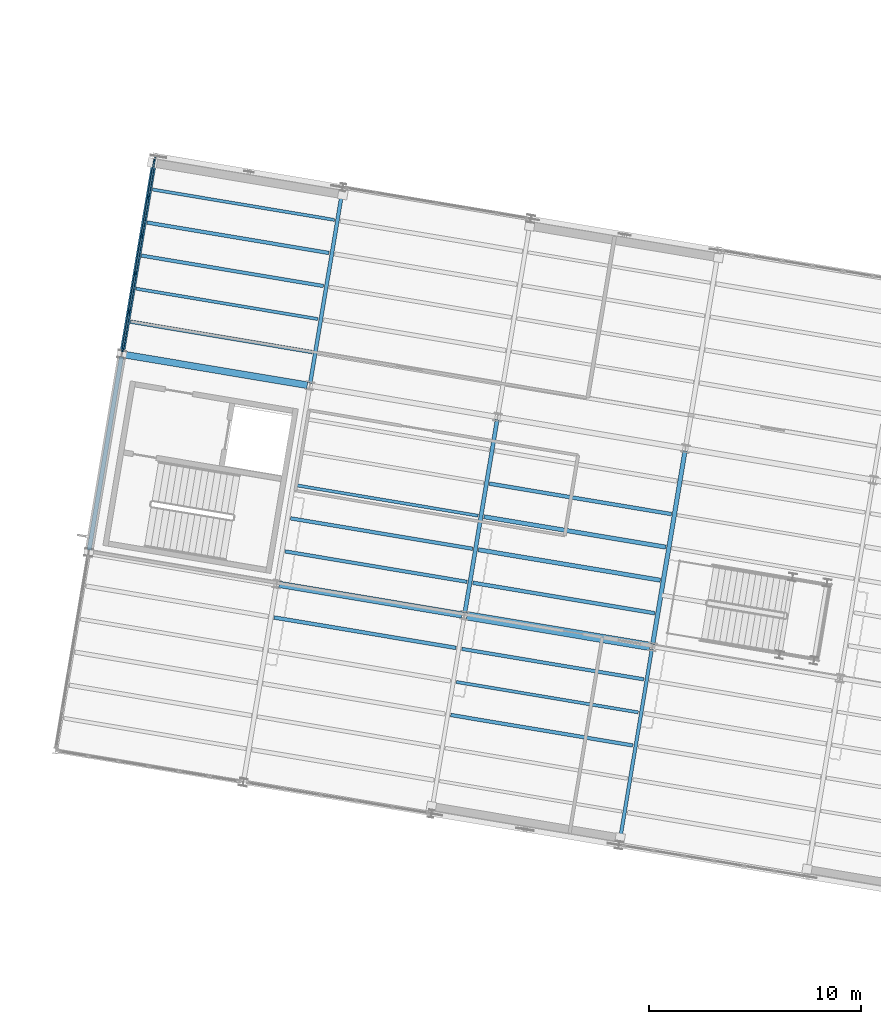
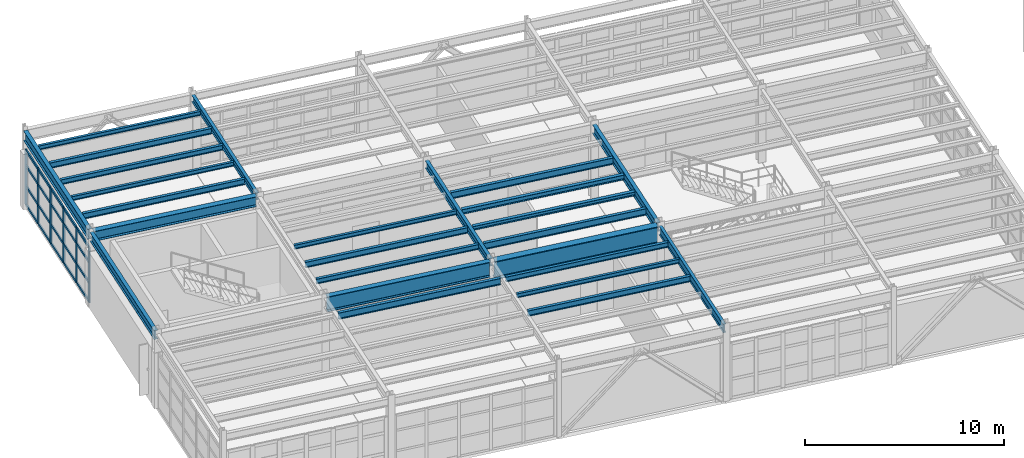
# One storey, part 41 of 109: 26 members, 25 beams, 1 element without a shape of its own.
"""IFC4 building model written with IfcOpenShell, lengths in metres."""

from ifc_helpers import new_model, si_unit, direction, frame, origin, origin_2d, place, context, subcontext, project, spatial, rectangle, i_section, extrude, material, layer, layer_set, material_profile, profile_set, type_object, element, aggregate, save


model = new_model("IFC4")

# Units and contexts
model_context = context("Model", 3, precision=1e-05, world=origin(), true_north=direction((0.0, 1.0)))
body_context = subcontext(model_context, "Body", "Model", "MODEL_VIEW")
ifc_project = project(units=[si_unit("LENGTHUNIT", "METRE"), si_unit("AREAUNIT", "SQUARE_METRE"), si_unit("VOLUMEUNIT", "CUBIC_METRE"), si_unit("PLANEANGLEUNIT", "RADIAN"), si_unit("MASSUNIT", "GRAM", prefix="KILO")], contexts=[model_context])

# Site, building, storey
site_placement = place(None, origin())
site = spatial("IfcSite", under=ifc_project, at=site_placement, CompositionType="ELEMENT")
building_placement = place(site_placement, origin())
building = spatial("IfcBuilding", under=site, at=building_placement, Name="Vireo Bluff Cable Station", CompositionType="ELEMENT")
storey_placement = place(building_placement, frame((0.0, 0.0, 4.800048828125)))
storey = spatial("IfcBuildingStorey", under=building, at=storey_placement, Name="L01", CompositionType="ELEMENT", Elevation=4.800048828125)

# Beams
ifc_material_1 = material(Name="Steel ASTM A992 Gr. 50", Category="steel")
ifc_material_profile_1 = material_profile(ifc_material_1, i_section(OverallWidth=0.178955078125, OverallDepth=0.408935546875, WebThickness=0.0087890625, FlangeThickness=0.014404296875, FilletRadius=0.010009765625, at=origin_2d()), Name="W16X45")
ifc_profile_set_1 = profile_set([ifc_material_profile_1], Name="Steel ASTM A992 Gr. 50")
beam_type_1 = type_object("IfcBeamType", Name="BM-W16X45", PredefinedType="BEAM", material=ifc_profile_set_1)
beam_1_placement = place(storey_placement, frame((17.5322265625, 88.872314453125, 4.33544921875), z_axis=(0.165044536891, 0.986286115102, 0.0), x_axis=(-0.986286115102, 0.165044536891, 0.0)))
element("IfcBeam", 1, at=beam_1_placement, inside=storey, type_object=beam_type_1, Name="V4 L01 beam 897", PredefinedType="BEAM", context=body_context, shape_type="SweptSolid", body=[
    extrude(i_section(OverallWidth=0.178955078125, OverallDepth=0.408935546875, WebThickness=0.0087890625, FlangeThickness=0.014404296875, FilletRadius=0.010009765625, at=origin_2d()), origin(), (0.0, 0.0, 1.0), 9.260009765625),
])
ifc_material_profile_2 = material_profile(ifc_material_1, i_section(OverallWidth=0.19091796875, OverallDepth=0.45703125, WebThickness=0.009033203125, FlangeThickness=0.014404296875, FilletRadius=0.011962890625, at=origin_2d()), Name="W18X50")
ifc_profile_set_2 = profile_set([ifc_material_profile_2], Name="Steel ASTM A992 Gr. 50")
beam_type_2 = type_object("IfcBeamType", Name="BM-W18X50", PredefinedType="BEAM", material=ifc_profile_set_2)
beam_2_placement = place(storey_placement, frame((24.8408203125, 78.01708984375, 4.3115234375), z_axis=(0.165044536891, 0.986286115102, 0.0), x_axis=(-0.986286115102, 0.165044536891, 0.0)))
element("IfcBeam", 2, at=beam_2_placement, inside=storey, type_object=beam_type_2, Name="V4 L01 beam 899", PredefinedType="BEAM", context=body_context, shape_type="SweptSolid", body=[
    extrude(i_section(OverallWidth=0.19091796875, OverallDepth=0.45703125, WebThickness=0.009033203125, FlangeThickness=0.014404296875, FilletRadius=0.011962890625, at=origin_2d()), origin(), (0.0, 0.0, 1.0), 9.260009765625),
])
ifc_material_profile_3 = material_profile(ifc_material_1, i_section(OverallWidth=0.166015625, OverallDepth=0.528076171875, WebThickness=0.009765625, FlangeThickness=0.013671875, FilletRadius=0.012939453125, at=origin_2d()), Name="W21X50")
ifc_profile_set_3 = profile_set([ifc_material_profile_3], Name="Steel ASTM A992 Gr. 50")
beam_type_3 = type_object("IfcBeamType", Name="BM-W21X50", PredefinedType="BEAM", material=ifc_profile_set_3)
beam_3_placement = place(storey_placement, frame((32.1494140625, 67.162109375, 4.27587890625), z_axis=(0.165070183492, 0.986281823072, 0.0), x_axis=(-0.986281823072, 0.165070183492, 0.0)))
element("IfcBeam", 3, at=beam_3_placement, inside=storey, type_object=beam_type_3, Name="V4 L01 beam 901", PredefinedType="BEAM", context=body_context, shape_type="SweptSolid", body=[
    extrude(i_section(OverallWidth=0.166015625, OverallDepth=0.528076171875, WebThickness=0.009765625, FlangeThickness=0.013671875, FilletRadius=0.012939453125, at=origin_2d()), origin(), (0.0, 0.0, 1.0), 9.260009765625),
])
ifc_material_profile_4 = material_profile(ifc_material_1, i_section(OverallWidth=0.2099609375, OverallDepth=0.535888671875, WebThickness=0.010986328125, FlangeThickness=0.017333984375, FilletRadius=0.012939453125, at=origin_2d()), Name="W21X68")
ifc_profile_set_4 = profile_set([ifc_material_profile_4], Name="Steel ASTM A992 Gr. 50")
beam_type_4 = type_object("IfcBeamType", Name="BM-W21X68", PredefinedType="BEAM", material=ifc_profile_set_4)
beam_4_placement = place(storey_placement, frame((33.717529296875, 76.53173828125, 4.27197265625), z_axis=(0.165044536891, 0.986286115102, 0.0), x_axis=(-0.986286115102, 0.165044536891, 0.0)))
element("IfcBeam", 4, at=beam_4_placement, inside=storey, type_object=beam_type_4, Name="V4 L01 beam 902", PredefinedType="BEAM", context=body_context, shape_type="SweptSolid", body=[
    extrude(i_section(OverallWidth=0.2099609375, OverallDepth=0.535888671875, WebThickness=0.010986328125, FlangeThickness=0.017333984375, FilletRadius=0.012939453125, at=origin_2d()), origin(), (0.0, 0.0, 1.0), 9.260009765625),
])

# Curtain wall, members
ifc_material_2 = material(Name="Anodized Aluminium 6063-T6", Category="aluminium")
ifc_layer = layer(ifc_material_2, 0.159912109375, Name="Anodized Aluminium 6063-T6")
ifc_layer_set = layer_set([ifc_layer], Name="Anodized Aluminium 6063-T6")
curtain_wall_type = type_object("IfcCurtainWallType", Name="CW-STICK-1850", PredefinedType="USERDEFINED", material=ifc_layer_set)
curtain_wall_placement = place(storey_placement, origin())
curtain_wall = element("IfcCurtainWall", 5, at=curtain_wall_placement, inside=storey, type_object=curtain_wall_type, Name="V4 L01 west curtain wall CW-089", ObjectType="STICK CURTAIN WALL", PredefinedType="USERDEFINED")
ifc_material_profile_5 = material_profile(ifc_material_2, rectangle(XDim=0.074951171875, YDim=0.2099609375, at=origin_2d()), Name="ALU-M-75X210")
ifc_profile_set_5 = profile_set([ifc_material_profile_5], Name="Anodized Aluminium 6063-T6")
member_type_1 = type_object("IfcMemberType", Name="CWM-02", PredefinedType="MULLION", material=ifc_profile_set_5)
member_1_placement = place(storey_placement, frame((8.672119140625, 90.455810546875, 0.0), z_axis=(0.0, 0.0, 1.0), x_axis=(-0.986285599498, 0.165047618048, 0.0)))
member_1 = element("IfcMember", 6, at=member_1_placement, type_object=member_type_1, Name="CW-089 mullion 1", PredefinedType="MULLION", context=body_context, shape_type="SweptSolid", body=[
    extrude(rectangle(XDim=0.074951171875, YDim=0.2099609375, at=origin_2d()), origin(), (0.0, 0.0, 1.0), 3.39990234375),
])
member_2_placement = place(storey_placement, frame((8.96923828125, 92.231201171875, 0.0), z_axis=(0.0, 0.0, 1.0), x_axis=(-0.986285599498, 0.165047618048, 0.0)))
member_2 = element("IfcMember", 7, at=member_2_placement, type_object=member_type_1, Name="CW-089 mullion 2", PredefinedType="MULLION", context=body_context, shape_type="SweptSolid", body=[
    extrude(rectangle(XDim=0.074951171875, YDim=0.2099609375, at=origin_2d()), origin(), (0.0, 0.0, 1.0), 3.39990234375),
])
member_3_placement = place(storey_placement, frame((9.2724609375, 94.04345703125, 0.0), z_axis=(0.0, 0.0, 1.0), x_axis=(-0.986285599498, 0.165047618048, 0.0)))
member_3 = element("IfcMember", 8, at=member_3_placement, type_object=member_type_1, Name="CW-089 mullion 3", PredefinedType="MULLION", context=body_context, shape_type="SweptSolid", body=[
    extrude(rectangle(XDim=0.074951171875, YDim=0.2099609375, at=origin_2d()), origin(), (0.0, 0.0, 1.0), 3.39990234375),
])
member_4_placement = place(storey_placement, frame((9.57568359375, 95.855712890625, 0.0), z_axis=(0.0, 0.0, 1.0), x_axis=(-0.986285599498, 0.165047618048, 0.0)))
member_4 = element("IfcMember", 9, at=member_4_placement, type_object=member_type_1, Name="CW-089 mullion 4", PredefinedType="MULLION", context=body_context, shape_type="SweptSolid", body=[
    extrude(rectangle(XDim=0.074951171875, YDim=0.2099609375, at=origin_2d()), origin(), (0.0, 0.0, 1.0), 3.39990234375),
])
member_5_placement = place(storey_placement, frame((9.879150390625, 97.668212890625, 0.0), z_axis=(0.0, 0.0, 1.0), x_axis=(-0.986285599498, 0.165047618048, 0.0)))
member_5 = element("IfcMember", 10, at=member_5_placement, type_object=member_type_1, Name="CW-089 mullion 5", PredefinedType="MULLION", context=body_context, shape_type="SweptSolid", body=[
    extrude(rectangle(XDim=0.074951171875, YDim=0.2099609375, at=origin_2d()), origin(), (0.0, 0.0, 1.0), 3.39990234375),
])
member_6_placement = place(storey_placement, frame((10.176025390625, 99.443359375, 0.0), z_axis=(0.0, 0.0, 1.0), x_axis=(-0.986285599498, 0.165047618048, 0.0)))
member_6 = element("IfcMember", 11, at=member_6_placement, type_object=member_type_1, Name="CW-089 mullion 6", PredefinedType="MULLION", context=body_context, shape_type="SweptSolid", body=[
    extrude(rectangle(XDim=0.074951171875, YDim=0.2099609375, at=origin_2d()), origin(), (0.0, 0.0, 1.0), 3.39990234375),
])
ifc_material_profile_6 = material_profile(ifc_material_2, rectangle(XDim=0.074951171875, YDim=0.159912109375, at=origin_2d()), Name="ALU-T-75X160")
ifc_profile_set_6 = profile_set([ifc_material_profile_6], Name="Anodized Aluminium 6063-T6")
member_type_2 = type_object("IfcMemberType", Name="CWT-02", PredefinedType="USERDEFINED", material=ifc_profile_set_6)
member_7_placement = place(storey_placement, frame((8.67822265625, 90.492919921875, 0.037353515625), z_axis=(0.165156273251, 0.986267410698, 0.0), x_axis=(-0.986267410698, 0.165156273251, 0.0)))
member_7 = element("IfcMember", 12, at=member_7_placement, type_object=member_type_2, Name="CW-089 transom 1.1", ObjectType="TRANSOM", PredefinedType="USERDEFINED", context=body_context, shape_type="SweptSolid", body=[
    extrude(rectangle(XDim=0.074951171875, YDim=0.159912109375, at=origin_2d()), origin(), (0.0, 0.0, 1.0), 1.72509765625),
])
member_8_placement = place(storey_placement, frame((8.67822265625, 90.492919921875, 1.18994140625), z_axis=(0.165156273251, 0.986267410698, 0.0), x_axis=(-0.986267410698, 0.165156273251, 0.0)))
member_8 = element("IfcMember", 13, at=member_8_placement, type_object=member_type_2, Name="CW-089 transom 1.2", ObjectType="TRANSOM", PredefinedType="USERDEFINED", context=body_context, shape_type="SweptSolid", body=[
    extrude(rectangle(XDim=0.074951171875, YDim=0.159912109375, at=origin_2d()), origin(), (0.0, 0.0, 1.0), 1.72509765625),
])
member_9_placement = place(storey_placement, frame((8.67822265625, 90.492919921875, 2.447998046875), z_axis=(0.165156273251, 0.986267410698, 0.0), x_axis=(-0.986267410698, 0.165156273251, 0.0)))
member_9 = element("IfcMember", 14, at=member_9_placement, type_object=member_type_2, Name="CW-089 transom 1.3", ObjectType="TRANSOM", PredefinedType="USERDEFINED", context=body_context, shape_type="SweptSolid", body=[
    extrude(rectangle(XDim=0.074951171875, YDim=0.159912109375, at=origin_2d()), origin(), (0.0, 0.0, 1.0), 1.72509765625),
])
member_10_placement = place(storey_placement, frame((8.67822265625, 90.492919921875, 3.362548828125), z_axis=(0.165156273251, 0.986267410698, 0.0), x_axis=(-0.986267410698, 0.165156273251, 0.0)))
member_10 = element("IfcMember", 15, at=member_10_placement, type_object=member_type_2, Name="CW-089 transom 1.4", ObjectType="TRANSOM", PredefinedType="USERDEFINED", context=body_context, shape_type="SweptSolid", body=[
    extrude(rectangle(XDim=0.074951171875, YDim=0.159912109375, at=origin_2d()), origin(), (0.0, 0.0, 1.0), 1.72509765625),
])
member_11_placement = place(storey_placement, frame((8.975341796875, 92.268310546875, 0.037353515625), z_axis=(0.165117758492, 0.986273859448, 0.0), x_axis=(-0.986273859448, 0.165117758492, 0.0)))
member_11 = element("IfcMember", 16, at=member_11_placement, type_object=member_type_2, Name="CW-089 transom 2.1", ObjectType="TRANSOM", PredefinedType="USERDEFINED", context=body_context, shape_type="SweptSolid", body=[
    extrude(rectangle(XDim=0.074951171875, YDim=0.159912109375, at=origin_2d()), origin(), (0.0, 0.0, 1.0), 1.762451171875),
])
member_12_placement = place(storey_placement, frame((8.975341796875, 92.268310546875, 1.18994140625), z_axis=(0.165117758492, 0.986273859448, 0.0), x_axis=(-0.986273859448, 0.165117758492, 0.0)))
member_12 = element("IfcMember", 17, at=member_12_placement, type_object=member_type_2, Name="CW-089 transom 2.2", ObjectType="TRANSOM", PredefinedType="USERDEFINED", context=body_context, shape_type="SweptSolid", body=[
    extrude(rectangle(XDim=0.074951171875, YDim=0.159912109375, at=origin_2d()), origin(), (0.0, 0.0, 1.0), 1.762451171875),
])
member_13_placement = place(storey_placement, frame((8.975341796875, 92.268310546875, 2.447998046875), z_axis=(0.165117758492, 0.986273859448, 0.0), x_axis=(-0.986273859448, 0.165117758492, 0.0)))
member_13 = element("IfcMember", 18, at=member_13_placement, type_object=member_type_2, Name="CW-089 transom 2.3", ObjectType="TRANSOM", PredefinedType="USERDEFINED", context=body_context, shape_type="SweptSolid", body=[
    extrude(rectangle(XDim=0.074951171875, YDim=0.159912109375, at=origin_2d()), origin(), (0.0, 0.0, 1.0), 1.762451171875),
])
member_14_placement = place(storey_placement, frame((8.975341796875, 92.268310546875, 3.362548828125), z_axis=(0.165117758492, 0.986273859448, 0.0), x_axis=(-0.986273859448, 0.165117758492, 0.0)))
member_14 = element("IfcMember", 19, at=member_14_placement, type_object=member_type_2, Name="CW-089 transom 2.4", ObjectType="TRANSOM", PredefinedType="USERDEFINED", context=body_context, shape_type="SweptSolid", body=[
    extrude(rectangle(XDim=0.074951171875, YDim=0.159912109375, at=origin_2d()), origin(), (0.0, 0.0, 1.0), 1.762451171875),
])
member_15_placement = place(storey_placement, frame((9.278564453125, 94.08056640625, 0.037353515625), z_axis=(0.165117758492, 0.986273859448, 0.0), x_axis=(-0.986273859448, 0.165117758492, 0.0)))
member_15 = element("IfcMember", 20, at=member_15_placement, type_object=member_type_2, Name="CW-089 transom 3.1", ObjectType="TRANSOM", PredefinedType="USERDEFINED", context=body_context, shape_type="SweptSolid", body=[
    extrude(rectangle(XDim=0.074951171875, YDim=0.159912109375, at=origin_2d()), origin(), (0.0, 0.0, 1.0), 1.762451171875),
])
member_16_placement = place(storey_placement, frame((9.278564453125, 94.08056640625, 1.18994140625), z_axis=(0.165117758492, 0.986273859448, 0.0), x_axis=(-0.986273859448, 0.165117758492, 0.0)))
member_16 = element("IfcMember", 21, at=member_16_placement, type_object=member_type_2, Name="CW-089 transom 3.2", ObjectType="TRANSOM", PredefinedType="USERDEFINED", context=body_context, shape_type="SweptSolid", body=[
    extrude(rectangle(XDim=0.074951171875, YDim=0.159912109375, at=origin_2d()), origin(), (0.0, 0.0, 1.0), 1.762451171875),
])
member_17_placement = place(storey_placement, frame((9.278564453125, 94.08056640625, 2.447998046875), z_axis=(0.165117758492, 0.986273859448, 0.0), x_axis=(-0.986273859448, 0.165117758492, 0.0)))
member_17 = element("IfcMember", 22, at=member_17_placement, type_object=member_type_2, Name="CW-089 transom 3.3", ObjectType="TRANSOM", PredefinedType="USERDEFINED", context=body_context, shape_type="SweptSolid", body=[
    extrude(rectangle(XDim=0.074951171875, YDim=0.159912109375, at=origin_2d()), origin(), (0.0, 0.0, 1.0), 1.762451171875),
])
member_18_placement = place(storey_placement, frame((9.278564453125, 94.08056640625, 3.362548828125), z_axis=(0.165117758492, 0.986273859448, 0.0), x_axis=(-0.986273859448, 0.165117758492, 0.0)))
member_18 = element("IfcMember", 23, at=member_18_placement, type_object=member_type_2, Name="CW-089 transom 3.4", ObjectType="TRANSOM", PredefinedType="USERDEFINED", context=body_context, shape_type="SweptSolid", body=[
    extrude(rectangle(XDim=0.074951171875, YDim=0.159912109375, at=origin_2d()), origin(), (0.0, 0.0, 1.0), 1.762451171875),
])
member_19_placement = place(storey_placement, frame((9.58203125, 95.892822265625, 0.037353515625), z_axis=(0.164983008896, 0.986296409187, 0.0), x_axis=(-0.986296409187, 0.164983008896, 0.0)))
member_19 = element("IfcMember", 24, at=member_19_placement, type_object=member_type_2, Name="CW-089 transom 4.1", ObjectType="TRANSOM", PredefinedType="USERDEFINED", context=body_context, shape_type="SweptSolid", body=[
    extrude(rectangle(XDim=0.074951171875, YDim=0.159912109375, at=origin_2d()), origin(), (0.0, 0.0, 1.0), 1.762451171875),
])
member_20_placement = place(storey_placement, frame((9.58203125, 95.892822265625, 1.18994140625), z_axis=(0.164983008896, 0.986296409187, 0.0), x_axis=(-0.986296409187, 0.164983008896, 0.0)))
member_20 = element("IfcMember", 25, at=member_20_placement, type_object=member_type_2, Name="CW-089 transom 4.2", ObjectType="TRANSOM", PredefinedType="USERDEFINED", context=body_context, shape_type="SweptSolid", body=[
    extrude(rectangle(XDim=0.074951171875, YDim=0.159912109375, at=origin_2d()), origin(), (0.0, 0.0, 1.0), 1.762451171875),
])
member_21_placement = place(storey_placement, frame((9.58203125, 95.892822265625, 2.447998046875), z_axis=(0.164983008896, 0.986296409187, 0.0), x_axis=(-0.986296409187, 0.164983008896, 0.0)))
member_21 = element("IfcMember", 26, at=member_21_placement, type_object=member_type_2, Name="CW-089 transom 4.3", ObjectType="TRANSOM", PredefinedType="USERDEFINED", context=body_context, shape_type="SweptSolid", body=[
    extrude(rectangle(XDim=0.074951171875, YDim=0.159912109375, at=origin_2d()), origin(), (0.0, 0.0, 1.0), 1.762451171875),
])
member_22_placement = place(storey_placement, frame((9.58203125, 95.892822265625, 3.362548828125), z_axis=(0.164983008896, 0.986296409187, 0.0), x_axis=(-0.986296409187, 0.164983008896, 0.0)))
member_22 = element("IfcMember", 27, at=member_22_placement, type_object=member_type_2, Name="CW-089 transom 4.4", ObjectType="TRANSOM", PredefinedType="USERDEFINED", context=body_context, shape_type="SweptSolid", body=[
    extrude(rectangle(XDim=0.074951171875, YDim=0.159912109375, at=origin_2d()), origin(), (0.0, 0.0, 1.0), 1.762451171875),
])
member_23_placement = place(storey_placement, frame((9.88525390625, 97.705078125, 0.037353515625), z_axis=(0.165018606581, 0.986290453914, 0.0), x_axis=(-0.986290453914, 0.165018606581, 0.0)))
member_23 = element("IfcMember", 28, at=member_23_placement, type_object=member_type_2, Name="CW-089 transom 5.1", ObjectType="TRANSOM", PredefinedType="USERDEFINED", context=body_context, shape_type="SweptSolid", body=[
    extrude(rectangle(XDim=0.074951171875, YDim=0.159912109375, at=origin_2d()), origin(), (0.0, 0.0, 1.0), 1.72509765625),
])
member_24_placement = place(storey_placement, frame((9.88525390625, 97.705078125, 1.18994140625), z_axis=(0.165018606581, 0.986290453914, 0.0), x_axis=(-0.986290453914, 0.165018606581, 0.0)))
member_24 = element("IfcMember", 29, at=member_24_placement, type_object=member_type_2, Name="CW-089 transom 5.2", ObjectType="TRANSOM", PredefinedType="USERDEFINED", context=body_context, shape_type="SweptSolid", body=[
    extrude(rectangle(XDim=0.074951171875, YDim=0.159912109375, at=origin_2d()), origin(), (0.0, 0.0, 1.0), 1.72509765625),
])
member_25_placement = place(storey_placement, frame((9.88525390625, 97.705078125, 2.447998046875), z_axis=(0.165018606581, 0.986290453914, 0.0), x_axis=(-0.986290453914, 0.165018606581, 0.0)))
member_25 = element("IfcMember", 30, at=member_25_placement, type_object=member_type_2, Name="CW-089 transom 5.3", ObjectType="TRANSOM", PredefinedType="USERDEFINED", context=body_context, shape_type="SweptSolid", body=[
    extrude(rectangle(XDim=0.074951171875, YDim=0.159912109375, at=origin_2d()), origin(), (0.0, 0.0, 1.0), 1.72509765625),
])
member_26_placement = place(storey_placement, frame((9.88525390625, 97.705078125, 3.362548828125), z_axis=(0.165018606581, 0.986290453914, 0.0), x_axis=(-0.986290453914, 0.165018606581, 0.0)))
member_26 = element("IfcMember", 31, at=member_26_placement, type_object=member_type_2, Name="CW-089 transom 5.4", ObjectType="TRANSOM", PredefinedType="USERDEFINED", context=body_context, shape_type="SweptSolid", body=[
    extrude(rectangle(XDim=0.074951171875, YDim=0.159912109375, at=origin_2d()), origin(), (0.0, 0.0, 1.0), 1.72509765625),
])
aggregate(curtain_wall, [member_1, member_2, member_3, member_4, member_5, member_6, member_7, member_8, member_9, member_10, member_11, member_12, member_13, member_14, member_15, member_16, member_17, member_18, member_19, member_20, member_21, member_22, member_23, member_24, member_25, member_26])

# Beams
ifc_material_profile_7 = material_profile(ifc_material_1, i_section(OverallWidth=0.324951171875, OverallDepth=0.612060546875, WebThickness=0.0126953125, FlangeThickness=0.01904296875, FilletRadius=0.012939453125, at=origin_2d()), Name="W24X104")
ifc_profile_set_7 = profile_set([ifc_material_profile_7], Name="Steel ASTM A992 Gr. 50")
beam_type_5 = type_object("IfcBeamType", Name="GIR-W24X104", PredefinedType="USERDEFINED", material=ifc_profile_set_7)
beam_5_placement = place(storey_placement, frame((8.754150390625, 90.2197265625, 4.23388671875), z_axis=(0.986285998922, -0.165045231163, 0.0), x_axis=(0.165045231163, 0.986285998922, 0.0)))
element("IfcBeam", 32, at=beam_5_placement, inside=storey, type_object=beam_type_5, Name="V4 L01 girder 882", ObjectType="GIRDER", PredefinedType="USERDEFINED", context=body_context, shape_type="SweptSolid", body=[
    extrude(i_section(OverallWidth=0.324951171875, OverallDepth=0.612060546875, WebThickness=0.0126953125, FlangeThickness=0.01904296875, FilletRadius=0.012939453125, at=origin_2d()), origin(), (0.0, 0.0, 1.0), 8.760009765625),
])
ifc_material_profile_8 = material_profile(ifc_material_1, i_section(OverallWidth=0.306884765625, OverallDepth=0.927001953125, WebThickness=0.019287109375, FlangeThickness=0.031982421875, FilletRadius=0.02001953125, at=origin_2d()), Name="W36X194")
ifc_profile_set_8 = profile_set([ifc_material_profile_8], Name="Steel ASTM A992 Gr. 50")
beam_type_6 = type_object("IfcBeamType", Name="GIR-W36X194", PredefinedType="USERDEFINED", material=ifc_profile_set_8)
beam_6_placement = place(storey_placement, frame((16.06298828125, 79.364501953125, 4.076416015625), z_axis=(0.986285239719, -0.16504976799, 0.0), x_axis=(0.16504976799, 0.986285239719, 0.0)))
element("IfcBeam", 33, at=beam_6_placement, inside=storey, type_object=beam_type_6, Name="V4 L01 girder 878", ObjectType="GIRDER", PredefinedType="USERDEFINED", context=body_context, shape_type="SweptSolid", body=[
    extrude(i_section(OverallWidth=0.306884765625, OverallDepth=0.927001953125, WebThickness=0.019287109375, FlangeThickness=0.031982421875, FilletRadius=0.02001953125, at=origin_2d()), origin(), (0.0, 0.0, 1.0), 8.759765625),
])
ifc_material_profile_9 = material_profile(ifc_material_1, i_section(OverallWidth=0.404052734375, OverallDepth=1.117919921875, WebThickness=0.026123046875, FlangeThickness=0.044921875, FilletRadius=0.02197265625, at=origin_2d()), Name="W44X335")
ifc_profile_set_9 = profile_set([ifc_material_profile_9], Name="Steel ASTM A992 Gr. 50")
beam_type_7 = type_object("IfcBeamType", Name="GIR-W44X335", PredefinedType="USERDEFINED", material=ifc_profile_set_9)
beam_7_placement = place(storey_placement, frame((24.939453125, 77.879150390625, 3.98095703125), z_axis=(0.986285998922, -0.165045231163, 0.0), x_axis=(0.165045231163, 0.986285998922, 0.0)))
element("IfcBeam", 34, at=beam_7_placement, inside=storey, type_object=beam_type_7, Name="V4 L01 girder 879", ObjectType="GIRDER", PredefinedType="USERDEFINED", context=body_context, shape_type="SweptSolid", body=[
    extrude(i_section(OverallWidth=0.404052734375, OverallDepth=1.117919921875, WebThickness=0.026123046875, FlangeThickness=0.044921875, FilletRadius=0.02197265625, at=origin_2d()), origin(), (0.0, 0.0, 1.0), 8.760009765625),
])
ifc_material_profile_10 = material_profile(ifc_material_1, i_section(OverallWidth=0.14599609375, OverallDepth=0.259033203125, WebThickness=0.006103515625, FlangeThickness=0.009033203125, FilletRadius=0.009033203125, at=origin_2d()), Name="W10X22")
ifc_profile_set_10 = profile_set([ifc_material_profile_10], Name="Steel ASTM A992 Gr. 50")
beam_type_8 = type_object("IfcBeamType", Name="JST-W10X22", PredefinedType="JOIST", material=ifc_profile_set_10)
for number, where, z_axis, x_axis, name in (
    (35, (9.296630859375, 93.339599609375, 4.410400390625), (0.98628550168, -0.165048202583, 0.0), (0.165048202583, 0.98628550168, 0.0), "V4 L01 composite joist 916"),
    (36, (10.08056640625, 98.0244140625, 4.410400390625), (0.98628550168, -0.165048202583, 0.0), (0.165048202583, 0.98628550168, 0.0), "V4 L01 composite joist 919"),
    (37, (16.86669921875, 84.046142578125, 4.410400390625), (0.98628550168, -0.165048202583, 0.0), (0.165048202583, 0.98628550168, 0.0), "V4 L01 composite joist 927"),
    (38, (24.4365234375, 74.75244140625, 4.410400390625), (0.98628550168, -0.165048202583, 0.0), (0.165048202583, 0.98628550168, 0.0), "V4 L01 composite joist 938"),
):
    element("IfcBeam", number, at=place(storey_placement, frame(where, z_axis=z_axis, x_axis=x_axis)), inside=storey, type_object=beam_type_8, Name=name, PredefinedType="JOIST", context=body_context, shape_type="SweptSolid", body=[
        extrude(i_section(OverallWidth=0.14599609375, OverallDepth=0.259033203125, WebThickness=0.006103515625, FlangeThickness=0.009033203125, FilletRadius=0.009033203125, at=origin_2d()), origin(), (0.0, 0.0, 1.0), 8.719970703125),
    ])
ifc_material_profile_11 = material_profile(ifc_material_1, i_section(OverallWidth=0.201904296875, OverallDepth=0.2470703125, WebThickness=0.00732421875, FlangeThickness=0.010986328125, FilletRadius=0.009033203125, at=origin_2d()), Name="W10X33")
ifc_profile_set_11 = profile_set([ifc_material_profile_11], Name="Steel ASTM A992 Gr. 50")
beam_type_9 = type_object("IfcBeamType", Name="JST-W10X33", PredefinedType="JOIST", material=ifc_profile_set_11)
beam_8_placement = place(storey_placement, frame((25.48193359375, 80.9990234375, 4.41650390625), z_axis=(0.98628550168, -0.165048202583, 0.0), x_axis=(0.165048202583, 0.98628550168, 0.0)))
element("IfcBeam", 39, at=beam_8_placement, inside=storey, type_object=beam_type_9, Name="V4 L01 composite joist 941", PredefinedType="JOIST", context=body_context, shape_type="SweptSolid", body=[
    extrude(i_section(OverallWidth=0.201904296875, OverallDepth=0.2470703125, WebThickness=0.00732421875, FlangeThickness=0.010986328125, FilletRadius=0.009033203125, at=origin_2d()), origin(), (0.0, 0.0, 1.0), 8.719970703125),
])
ifc_material_profile_12 = material_profile(ifc_material_1, i_section(OverallWidth=0.1650390625, OverallDepth=0.31005859375, WebThickness=0.005859375, FlangeThickness=0.009765625, FilletRadius=0.010009765625, at=origin_2d()), Name="W12X26")
ifc_profile_set_12 = profile_set([ifc_material_profile_12], Name="Steel ASTM A992 Gr. 50")
beam_type_10 = type_object("IfcBeamType", Name="JST-W12X26", PredefinedType="JOIST", material=ifc_profile_set_12)
beam_9_placement = place(storey_placement, frame((9.557861328125, 94.901123046875, 4.385009765625), z_axis=(0.986286264339, -0.165043645063, 0.0), x_axis=(0.165043645063, 0.986286264339, 0.0)))
element("IfcBeam", 40, at=beam_9_placement, inside=storey, type_object=beam_type_10, Name="V4 L01 composite joist 917", PredefinedType="JOIST", context=body_context, shape_type="SweptSolid", body=[
    extrude(i_section(OverallWidth=0.1650390625, OverallDepth=0.31005859375, WebThickness=0.005859375, FlangeThickness=0.009765625, FilletRadius=0.010009765625, at=origin_2d()), origin(), (0.0, 0.0, 1.0), 8.72021484375),
])
beam_10_placement = place(storey_placement, frame((16.343994140625, 80.9228515625, 4.385009765625), z_axis=(0.98628550168, -0.165048202583, 0.0), x_axis=(0.165048202583, 0.98628550168, 0.0)))
element("IfcBeam", 41, at=beam_10_placement, inside=storey, type_object=beam_type_10, Name="V4 L01 composite joist 925", PredefinedType="JOIST", context=body_context, shape_type="SweptSolid", body=[
    extrude(i_section(OverallWidth=0.1650390625, OverallDepth=0.31005859375, WebThickness=0.005859375, FlangeThickness=0.009765625, FilletRadius=0.010009765625, at=origin_2d()), origin(), (0.0, 0.0, 1.0), 8.719970703125),
])
beam_11_placement = place(storey_placement, frame((24.69775390625, 76.314208984375, 4.385009765625), z_axis=(0.986286264339, -0.165043645063, 0.0), x_axis=(0.165043645063, 0.986286264339, 0.0)))
element("IfcBeam", 42, at=beam_11_placement, inside=storey, type_object=beam_type_10, Name="V4 L01 composite joist 939", PredefinedType="JOIST", context=body_context, shape_type="SweptSolid", body=[
    extrude(i_section(OverallWidth=0.1650390625, OverallDepth=0.31005859375, WebThickness=0.005859375, FlangeThickness=0.009765625, FilletRadius=0.010009765625, at=origin_2d()), origin(), (0.0, 0.0, 1.0), 8.72021484375),
])
ifc_material_profile_13 = material_profile(ifc_material_1, i_section(OverallWidth=0.202880859375, OverallDepth=0.302978515625, WebThickness=0.007568359375, FlangeThickness=0.01318359375, FilletRadius=0.010009765625, at=origin_2d()), Name="W12X40")
ifc_profile_set_13 = profile_set([ifc_material_profile_13], Name="Steel ASTM A992 Gr. 50")
beam_type_11 = type_object("IfcBeamType", Name="JST-W12X40", PredefinedType="JOIST", material=ifc_profile_set_13)
beam_12_placement = place(storey_placement, frame((25.7431640625, 82.560546875, 4.388427734375), z_axis=(0.98628550168, -0.165048202583, 0.0), x_axis=(0.165048202583, 0.98628550168, 0.0)))
element("IfcBeam", 43, at=beam_12_placement, inside=storey, type_object=beam_type_11, Name="V4 L01 composite joist 942", PredefinedType="JOIST", context=body_context, shape_type="SweptSolid", body=[
    extrude(i_section(OverallWidth=0.202880859375, OverallDepth=0.302978515625, WebThickness=0.007568359375, FlangeThickness=0.01318359375, FilletRadius=0.010009765625, at=origin_2d()), origin(), (0.0, 0.0, 1.0), 8.719970703125),
])
ifc_material_profile_14 = material_profile(ifc_material_1, i_section(OverallWidth=0.1708984375, OverallDepth=0.35107421875, WebThickness=0.0068359375, FlangeThickness=0.009765625, FilletRadius=0.010009765625, at=origin_2d()), Name="W14X30")
ifc_profile_set_14 = profile_set([ifc_material_profile_14], Name="Steel ASTM A992 Gr. 50")
beam_type_12 = type_object("IfcBeamType", Name="JST-W14X30", PredefinedType="JOIST", material=ifc_profile_set_14)
for number, where, z_axis, x_axis, name in (
    (44, (9.035400390625, 91.77783203125, 4.364501953125), (0.98628550168, -0.165048202583, 0.0), (0.165048202583, 0.98628550168, 0.0), "V4 L01 composite joist 915"),
    (45, (9.8193359375, 96.462890625, 4.364501953125), (0.98628550168, -0.165048202583, 0.0), (0.165048202583, 0.98628550168, 0.0), "V4 L01 composite joist 918"),
    (46, (16.605224609375, 82.484375, 4.364501953125), (0.98628550168, -0.165048202583, 0.0), (0.165048202583, 0.98628550168, 0.0), "V4 L01 composite joist 926"),
    (47, (24.17529296875, 73.19091796875, 4.364501953125), (0.98628550168, -0.165048202583, 0.0), (0.165048202583, 0.98628550168, 0.0), "V4 L01 composite joist 937"),
):
    element("IfcBeam", number, at=place(storey_placement, frame(where, z_axis=z_axis, x_axis=x_axis)), inside=storey, type_object=beam_type_12, Name=name, PredefinedType="JOIST", context=body_context, shape_type="SweptSolid", body=[
        extrude(i_section(OverallWidth=0.1708984375, OverallDepth=0.35107421875, WebThickness=0.0068359375, FlangeThickness=0.009765625, FilletRadius=0.010009765625, at=origin_2d()), origin(), (0.0, 0.0, 1.0), 8.719970703125),
    ])
ifc_material_profile_15 = material_profile(ifc_material_1, i_section(OverallWidth=0.177978515625, OverallDepth=0.404052734375, WebThickness=0.007568359375, FlangeThickness=0.010986328125, FilletRadius=0.010009765625, at=origin_2d()), Name="W16X36")
ifc_profile_set_15 = profile_set([ifc_material_profile_15], Name="Steel ASTM A992 Gr. 50")
beam_type_13 = type_object("IfcBeamType", Name="JST-W16X36", PredefinedType="JOIST", material=ifc_profile_set_15)
for number, where, z_axis, x_axis, name in (
    (48, (15.8212890625, 77.799560546875, 4.337890625), (0.98628550168, -0.165048202583, 0.0), (0.165048202583, 0.98628550168, 0.0), "V4 L01 composite joist 924"),
    (49, (25.220458984375, 79.437255859375, 4.337890625), (0.98628550168, -0.165048202583, 0.0), (0.165048202583, 0.98628550168, 0.0), "V4 L01 composite joist 940"),
):
    element("IfcBeam", number, at=place(storey_placement, frame(where, z_axis=z_axis, x_axis=x_axis)), inside=storey, type_object=beam_type_13, Name=name, PredefinedType="JOIST", context=body_context, shape_type="SweptSolid", body=[
        extrude(i_section(OverallWidth=0.177978515625, OverallDepth=0.404052734375, WebThickness=0.007568359375, FlangeThickness=0.010986328125, FilletRadius=0.010009765625, at=origin_2d()), origin(), (0.0, 0.0, 1.0), 8.719970703125),
    ])
beam_13_placement = place(storey_placement, frame((26.00439453125, 84.122314453125, 4.337890625), z_axis=(0.986286264339, -0.165043645063, 0.0), x_axis=(0.165043645063, 0.986286264339, 0.0)))
element("IfcBeam", 50, at=beam_13_placement, inside=storey, type_object=beam_type_13, Name="V4 L01 composite joist 943", PredefinedType="JOIST", context=body_context, shape_type="SweptSolid", body=[
    extrude(i_section(OverallWidth=0.177978515625, OverallDepth=0.404052734375, WebThickness=0.007568359375, FlangeThickness=0.010986328125, FilletRadius=0.010009765625, at=origin_2d()), origin(), (0.0, 0.0, 1.0), 8.72021484375),
])
ifc_material_profile_16 = material_profile(ifc_material_1, i_section(OverallWidth=0.2099609375, OverallDepth=0.535888671875, WebThickness=0.010986328125, FlangeThickness=0.017333984375, FilletRadius=0.012939453125, at=origin_2d()), Name="W21X68")
ifc_profile_set_16 = profile_set([ifc_material_profile_16], Name="Steel ASTM A992 Gr. 50")
beam_type_14 = type_object("IfcBeamType", Name="SPN-W21X68", PredefinedType="SPANDREL", material=ifc_profile_set_16)
beam_14_placement = place(storey_placement, frame((7.087646484375, 80.988037109375, 4.27197265625), z_axis=(0.165070183492, 0.986281823072, 0.0), x_axis=(-0.986281823072, 0.165070183492, 0.0)))
element("IfcBeam", 51, at=beam_14_placement, inside=storey, type_object=beam_type_14, Name="V4 L01 spandrel 893", PredefinedType="SPANDREL", context=body_context, shape_type="SweptSolid", body=[
    extrude(i_section(OverallWidth=0.2099609375, OverallDepth=0.535888671875, WebThickness=0.010986328125, FlangeThickness=0.017333984375, FilletRadius=0.012939453125, at=origin_2d()), origin(), (0.0, 0.0, 1.0), 9.260009765625),
])
ifc_material_profile_17 = material_profile(ifc_material_1, i_section(OverallWidth=0.22802734375, OverallDepth=0.60693359375, WebThickness=0.01123046875, FlangeThickness=0.017333984375, FilletRadius=0.012939453125, at=origin_2d()), Name="W24X76")
ifc_profile_set_17 = profile_set([ifc_material_profile_17], Name="Steel ASTM A992 Gr. 50")
beam_type_15 = type_object("IfcBeamType", Name="SPN-W24X76", PredefinedType="SPANDREL", material=ifc_profile_set_17)
beam_15_placement = place(storey_placement, frame((8.65576171875, 90.357666015625, 4.236572265625), z_axis=(0.165044536891, 0.986286115102, 0.0), x_axis=(-0.986286115102, 0.165044536891, 0.0)))
element("IfcBeam", 52, at=beam_15_placement, inside=storey, type_object=beam_type_15, Name="V4 L01 spandrel 894", PredefinedType="SPANDREL", context=body_context, shape_type="SweptSolid", body=[
    extrude(i_section(OverallWidth=0.22802734375, OverallDepth=0.60693359375, WebThickness=0.01123046875, FlangeThickness=0.017333984375, FilletRadius=0.012939453125, at=origin_2d()), origin(), (0.0, 0.0, 1.0), 9.260009765625),
])

save(model, "model.ifc")
